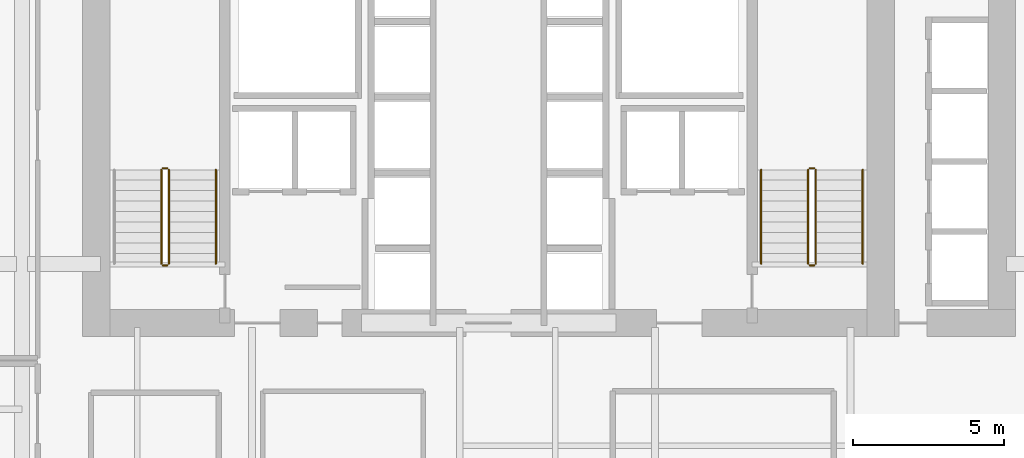
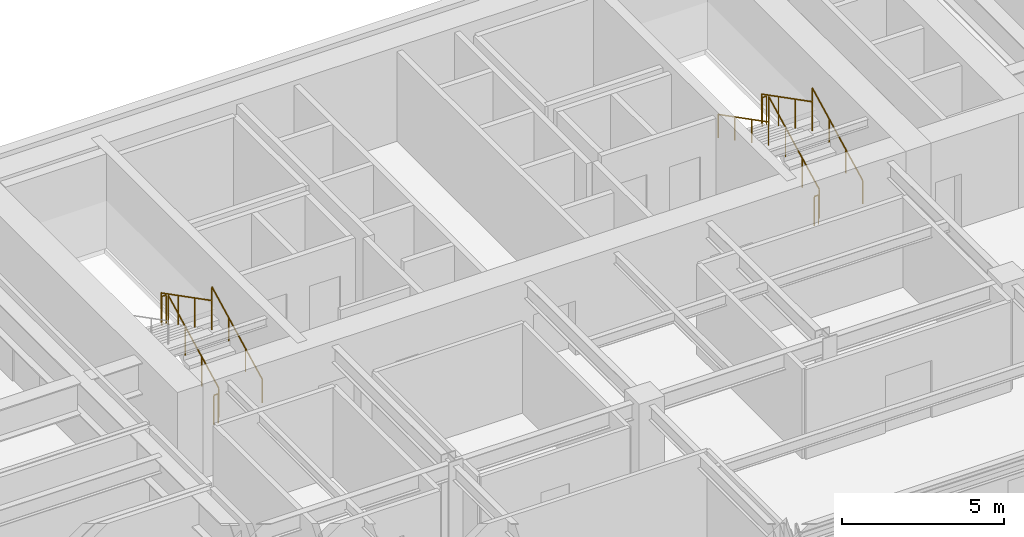
# One storey, part 25 of 25: 11 railings.
"""IFC4 building model written with IfcOpenShell, lengths in metres."""

import ifcopenshell
import ifcopenshell.guid

model = None  # the IFC model being written
_history = None  # IfcOwnerHistory: only IFC2X3 demands one
_inside = {}  # id of a spatial element -> (the spatial element, [elements in it])
_under = {}  # id of a project, library or spatial element -> (it, [spatial elements below it])
_declared = {}  # id of a project -> (the project, [libraries it declares])
_typed = {}  # id of a type object -> (the type object, [elements of that type])
_made_of = {}  # id of a material, layer set ... -> (it, [elements and type objects made of it])


def new_model(schema):
    """Start an empty IFC model of exactly this schema.

    Asked for "IFC4X3", IfcOpenShell would pick the latest addendum, in which some entities
    have other attributes; the version numbers below select the first issue.
    IFC2X3 requires an IfcOwnerHistory on every rooted entity: one is made here for all.
    """
    global model, _history
    if schema == "IFC4X3":
        model = ifcopenshell.file(schema_version=(4, 3, 0, 0))
    else:
        model = ifcopenshell.file(schema=schema)
    _inside.clear()
    _under.clear()
    _declared.clear()
    _typed.clear()
    _made_of.clear()
    _history = None
    if model.schema == "IFC2X3":
        org = make("IfcOrganization", Name="unknown")
        user = make(
            "IfcPersonAndOrganization",
            ThePerson=make("IfcPerson", FamilyName="unknown"),
            TheOrganization=org,
        )
        app = make(
            "IfcApplication",
            ApplicationDeveloper=org,
            Version="unknown",
            ApplicationFullName="unknown",
            ApplicationIdentifier="unknown",
        )
        _history = make(
            "IfcOwnerHistory",
            OwningUser=user,
            OwningApplication=app,
            ChangeAction="ADDED",
            CreationDate=0,
        )
    return model


def make(cls, **values):
    """One entity of the class cls with the attributes given. An attribute that is None is left unset."""
    return model.create_entity(
        cls, **{name: value for name, value in values.items() if value is not None}
    )


def rooted(cls, **values):
    """An entity with a GlobalId (a new one), such as an element, a storey or a relation."""
    return make(cls, GlobalId=ifcopenshell.guid.new(), OwnerHistory=_history, **values)


def si_unit(unit_type, name, prefix=None):
    """IfcSIUnit, for example si_unit("LENGTHUNIT", "METRE", prefix="MILLI")."""
    return make("IfcSIUnit", UnitType=unit_type, Prefix=prefix, Name=name)


def assignment(units):
    """IfcUnitAssignment: the units of a project."""
    return None if units is None else make("IfcUnitAssignment", Units=units)


def point(xyz):
    """IfcCartesianPoint."""
    return None if xyz is None else make("IfcCartesianPoint", Coordinates=xyz)


def direction(xyz):
    """IfcDirection."""
    return None if xyz is None else make("IfcDirection", DirectionRatios=xyz)


def frame(location, z_axis=None, x_axis=None):
    """IfcAxis2Placement3D, a coordinate frame: its origin and axes. An axis left out is left unset."""
    return make(
        "IfcAxis2Placement3D",
        Location=point(location),
        Axis=direction(z_axis),
        RefDirection=direction(x_axis),
    )


def frame_2d(location, x_axis=None):
    """IfcAxis2Placement2D, a coordinate frame in the plane: its origin and x axis."""
    return make(
        "IfcAxis2Placement2D", Location=point(location), RefDirection=direction(x_axis)
    )


def origin():
    """The frame at (0, 0, 0) with its axes left unset."""
    return frame((0.0, 0.0, 0.0))


def origin_2d():
    """The frame at (0, 0) in the plane with its x axis left unset."""
    return frame_2d((0.0, 0.0))


def place(relative_to, where):
    """IfcLocalPlacement: puts the frame where relative to a parent placement (None: the world)."""
    return make(
        "IfcLocalPlacement", PlacementRelTo=relative_to, RelativePlacement=where
    )


def context(
    kind, dimensions, precision=None, world=None, true_north=None, identifier=None
):
    """IfcGeometricRepresentationContext, for example the 3D "Model" context."""
    return make(
        "IfcGeometricRepresentationContext",
        ContextIdentifier=identifier,
        ContextType=kind,
        CoordinateSpaceDimension=dimensions,
        Precision=precision,
        WorldCoordinateSystem=world,
        TrueNorth=true_north,
    )


def subcontext(parent, identifier, kind, view, scale=None):
    """IfcGeometricRepresentationSubContext, for example "Body" below "Model"."""
    return make(
        "IfcGeometricRepresentationSubContext",
        ContextIdentifier=identifier,
        ContextType=kind,
        ParentContext=parent,
        TargetScale=scale,
        TargetView=view,
    )


def project(units=None, contexts=None):
    """IfcProject with its units and contexts."""
    return rooted(
        "IfcProject",
        Name="project",
        RepresentationContexts=contexts,
        UnitsInContext=assignment(units),
    )


def spatial(cls, under=None, at=None, **own):
    """A site, building, storey or space (cls), placed at a placement, below another one or the project."""
    s = rooted(cls, ObjectPlacement=at, **own)
    if under is not None:
        _under.setdefault(under.id(), (under, []))[1].append(s)
    return s


def profile(cls, at=None, kind="AREA", **sizes):
    """A parametric profile (cls). Its sizes go by their IFC names, for example OverallWidth=200.0."""
    return make(cls, ProfileType=kind, Position=at, **sizes)


def circle(**sizes):
    """IfcCircleProfileDef."""
    return profile("IfcCircleProfileDef", **sizes)


def extrude(swept, where, along, depth):
    """IfcExtrudedAreaSolid: the profile swept, set in the frame where, extruded along a direction by depth."""
    return make(
        "IfcExtrudedAreaSolid",
        SweptArea=swept,
        Position=where,
        ExtrudedDirection=direction(along),
        Depth=depth,
    )


def shape(context_of_items, identifier, shape_type, items):
    """IfcShapeRepresentation: the items that make up one representation, for example the "Body"."""
    return make(
        "IfcShapeRepresentation",
        ContextOfItems=context_of_items,
        RepresentationIdentifier=identifier,
        RepresentationType=shape_type,
        Items=items,
    )


def material(Name=None, Category=None):
    """IfcMaterial."""
    return make("IfcMaterial", Name=Name, Category=Category)


def made_of(thing, what):
    """Note that an element or type object is made of a material, layer set ...; save() writes the relation."""
    if what is not None:
        _made_of.setdefault(what.id(), (what, []))[1].append(thing)
    return thing


def type_object(cls, material=None, **own):
    """A type object (cls), such as IfcWallType, which elements share."""
    return made_of(rooted(cls, **own), material)


def element(
    cls,
    number,
    at=None,
    inside=None,
    cuts=None,
    type_object=None,
    material=None,
    context=None,
    identifier="Body",
    shape_type=None,
    held_by="IfcProductDefinitionShape",
    body=None,
    shapes=None,
    **own,
):
    """One element of the class cls, such as IfcWall. Its Tag is "e" and its number.

    at: its placement. inside: the storey or other place that contains it. cuts: it is an
    opening in that element (IfcRelVoidsElement). A single representation is given by context,
    identifier, shape_type and body (its items); several are given by shapes. held_by: the class
    of the entity that holds the representations. save() writes the other relations.
    """
    e = rooted(cls, Tag="e%d" % number, ObjectPlacement=at, **own)
    if body is not None:
        shapes = [shape(context, identifier, shape_type, body)]
    if shapes is not None:
        e.Representation = make(held_by, Representations=shapes)
    if inside is not None:
        _inside.setdefault(inside.id(), (inside, []))[1].append(e)
    if cuts is not None:
        rooted(
            "IfcRelVoidsElement", RelatingBuildingElement=cuts, RelatedOpeningElement=e
        )
    if type_object is not None:
        _typed.setdefault(type_object.id(), (type_object, []))[1].append(e)
    return made_of(e, material)


def aggregate(whole, parts):
    """IfcRelAggregates: a whole, such as a stair, and the parts it consists of."""
    return rooted("IfcRelAggregates", RelatingObject=whole, RelatedObjects=parts)


def save(model, path):
    """Write the relations noted so far, then the file.

    IfcRelAggregates (storeys below a building ...), IfcRelContainedInSpatialStructure (elements
    in a storey), IfcRelDefinesByType, IfcRelAssociatesMaterial and IfcRelDeclares: one each for
    every whole, place, type object, material and project.
    """
    for whole, parts in _under.values():
        aggregate(whole, parts)
    for where, things in _inside.values():
        rooted(
            "IfcRelContainedInSpatialStructure",
            RelatedElements=things,
            RelatingStructure=where,
        )
    for kind, things in _typed.values():
        rooted("IfcRelDefinesByType", RelatedObjects=things, RelatingType=kind)
    for what, things in _made_of.values():
        rooted("IfcRelAssociatesMaterial", RelatedObjects=things, RelatingMaterial=what)
    for by, libraries in _declared.values():
        rooted("IfcRelDeclares", RelatingContext=by, RelatedDefinitions=libraries)
    model.write(path)


model = new_model("IFC4")

# Units and contexts
model_context = context("Model", 3, precision=1e-05, world=origin(), true_north=direction((0.0, 1.0)))
body_context = subcontext(model_context, "Body", "Model", "MODEL_VIEW")
ifc_project = project(units=[si_unit("LENGTHUNIT", "METRE"), si_unit("AREAUNIT", "SQUARE_METRE"), si_unit("VOLUMEUNIT", "CUBIC_METRE"), si_unit("PLANEANGLEUNIT", "RADIAN"), si_unit("MASSUNIT", "GRAM", prefix="KILO")], contexts=[model_context])

# Site, building, storey
site_placement = place(None, origin())
site = spatial("IfcSite", under=ifc_project, at=site_placement, CompositionType="ELEMENT")
building_placement = place(site_placement, origin())
building = spatial("IfcBuilding", under=site, at=building_placement, Name="Tolvann Quenvar Hotel", CompositionType="ELEMENT")
storey_placement = place(building_placement, frame((0.0, 0.0, 78.14990234375)))
storey = spatial("IfcBuildingStorey", under=building, at=storey_placement, Name="L19", CompositionType="ELEMENT", Elevation=78.14990234375)

# Railings
ifc_material = material(Name="Brushed 316 stainless steel balustrade and handrail", Category="steel")
railing_type_1 = type_object("IfcRailingType", Name="GUARDRAIL", PredefinedType="GUARDRAIL", material=ifc_material)
railing_1_placement = place(storey_placement, frame((12.449951171875, 34.0, 0.177490234375)))
element("IfcRailing", 1, at=railing_1_placement, inside=storey, type_object=railing_type_1, Name="L19 ST-C1 stair guard 1", PredefinedType="GUARDRAIL", context=body_context, shape_type="SweptSolid", body=[
    extrude(circle(Radius=0.02392578125, at=origin_2d()), frame((0.0, 0.0, 1.09619140625), z_axis=(0.0, 0.88919353882, 0.457531256332), x_axis=(-1.0, 0.0, 0.0)), (0.0, 0.0, 1.0), 3.491943359375),
    extrude(circle(Radius=0.02099609375, at=origin_2d()), origin(), (0.0, 0.0, 1.0), 1.072021484375),
    extrude(circle(Radius=0.02099609375, at=origin_2d()), frame((0.0, 1.034912109375, 0.532470703125)), (0.0, 0.0, 1.0), 1.072021484375),
    extrude(circle(Radius=0.02099609375, at=origin_2d()), frame((0.0, 2.070068359375, 1.065185546875)), (0.0, 0.0, 1.0), 1.072021484375),
    extrude(circle(Radius=0.02099609375, at=origin_2d()), frame((0.0, 3.10498046875, 1.59765625)), (0.0, 0.0, 1.0), 1.072021484375),
])
railing_2_placement = place(storey_placement, frame((12.39990234375, 37.155029296875, 1.775146484375)))
element("IfcRailing", 2, at=railing_2_placement, inside=storey, type_object=railing_type_1, Name="L19 ST-C1 stair guard 2", PredefinedType="GUARDRAIL", context=body_context, shape_type="SweptSolid", body=[
    extrude(circle(Radius=0.02392578125, at=origin_2d()), frame((0.0, 0.0, 1.09619140625), z_axis=(-1.0, 0.0, 0.0), x_axis=(0.0, -1.0, 0.0)), (0.0, 0.0, 1.0), 0.14990234375),
    extrude(circle(Radius=0.02099609375, at=origin_2d()), origin(), (0.0, 0.0, 1.0), 1.072021484375),
    extrude(circle(Radius=0.02099609375, at=origin_2d()), frame((-0.14990234375, 0.0, 0.0)), (0.0, 0.0, 1.0), 1.072021484375),
])
railing_3_placement = place(storey_placement, frame((12.199951171875, 37.10498046875, 1.95263671875)))
element("IfcRailing", 3, at=railing_3_placement, inside=storey, type_object=railing_type_1, Name="L19 ST-C1 stair guard 3", PredefinedType="GUARDRAIL", context=body_context, shape_type="SweptSolid", body=[
    extrude(circle(Radius=0.02392578125, at=origin_2d()), frame((0.0, 0.0, 1.09619140625), z_axis=(0.0, -0.889221982265, 0.45747597342), x_axis=(1.0, 0.0, 0.0)), (0.0, 0.0, 1.0), 3.49169921875),
    extrude(circle(Radius=0.02099609375, at=origin_2d()), origin(), (0.0, 0.0, 1.0), 1.072021484375),
    extrude(circle(Radius=0.02099609375, at=origin_2d()), frame((0.0, -1.034912109375, 0.532470703125)), (0.0, 0.0, 1.0), 1.072021484375),
    extrude(circle(Radius=0.02099609375, at=origin_2d()), frame((0.0, -2.070068359375, 1.06494140625)), (0.0, 0.0, 1.0), 1.072021484375),
    extrude(circle(Radius=0.02099609375, at=origin_2d()), frame((0.0, -3.10498046875, 1.597412109375)), (0.0, 0.0, 1.0), 1.072021484375),
])
railing_4_placement = place(storey_placement, frame((12.39990234375, 33.949951171875, 0.0)))
element("IfcRailing", 4, at=railing_4_placement, inside=storey, type_object=railing_type_1, Name="L19 ST-C1 stair guard 4", PredefinedType="GUARDRAIL", context=body_context, shape_type="SweptSolid", body=[
    extrude(circle(Radius=0.02392578125, at=origin_2d()), frame((0.0, 0.0, 1.09619140625), z_axis=(-1.0, 0.0, 0.0), x_axis=(0.0, -1.0, 0.0)), (0.0, 0.0, 1.0), 0.14990234375),
    extrude(circle(Radius=0.02099609375, at=origin_2d()), origin(), (0.0, 0.0, 1.0), 1.072021484375),
    extrude(circle(Radius=0.02099609375, at=origin_2d()), frame((-0.14990234375, 0.0, 0.0)), (0.0, 0.0, 1.0), 1.072021484375),
])
railing_5_placement = place(storey_placement, frame((33.800048828125, 34.0, 0.177490234375)))
element("IfcRailing", 5, at=railing_5_placement, inside=storey, type_object=railing_type_1, Name="L19 ST-C2 stair guard 1", PredefinedType="GUARDRAIL", context=body_context, shape_type="SweptSolid", body=[
    extrude(circle(Radius=0.02392578125, at=origin_2d()), frame((0.0, 0.0, 1.09619140625), z_axis=(0.0, 0.88919353882, 0.457531256332), x_axis=(-1.0, 0.0, 0.0)), (0.0, 0.0, 1.0), 3.491943359375),
    extrude(circle(Radius=0.02099609375, at=origin_2d()), origin(), (0.0, 0.0, 1.0), 1.072021484375),
    extrude(circle(Radius=0.02099609375, at=origin_2d()), frame((0.0, 1.034912109375, 0.532470703125)), (0.0, 0.0, 1.0), 1.072021484375),
    extrude(circle(Radius=0.02099609375, at=origin_2d()), frame((0.0, 2.070068359375, 1.065185546875)), (0.0, 0.0, 1.0), 1.072021484375),
    extrude(circle(Radius=0.02099609375, at=origin_2d()), frame((0.0, 3.10498046875, 1.59765625)), (0.0, 0.0, 1.0), 1.072021484375),
])
railing_6_placement = place(storey_placement, frame((33.75, 37.155029296875, 1.775146484375)))
element("IfcRailing", 6, at=railing_6_placement, inside=storey, type_object=railing_type_1, Name="L19 ST-C2 stair guard 2", PredefinedType="GUARDRAIL", context=body_context, shape_type="SweptSolid", body=[
    extrude(circle(Radius=0.02392578125, at=origin_2d()), frame((0.0, 0.0, 1.09619140625), z_axis=(-1.0, 0.0, 0.0), x_axis=(0.0, -1.0, 0.0)), (0.0, 0.0, 1.0), 0.14990234375),
    extrude(circle(Radius=0.02099609375, at=origin_2d()), origin(), (0.0, 0.0, 1.0), 1.072021484375),
    extrude(circle(Radius=0.02099609375, at=origin_2d()), frame((-0.14990234375, 0.0, 0.0)), (0.0, 0.0, 1.0), 1.072021484375),
])
railing_7_placement = place(storey_placement, frame((33.550048828125, 37.10498046875, 1.95263671875)))
element("IfcRailing", 7, at=railing_7_placement, inside=storey, type_object=railing_type_1, Name="L19 ST-C2 stair guard 3", PredefinedType="GUARDRAIL", context=body_context, shape_type="SweptSolid", body=[
    extrude(circle(Radius=0.02392578125, at=origin_2d()), frame((0.0, 0.0, 1.09619140625), z_axis=(0.0, -0.889221982265, 0.45747597342), x_axis=(1.0, 0.0, 0.0)), (0.0, 0.0, 1.0), 3.49169921875),
    extrude(circle(Radius=0.02099609375, at=origin_2d()), origin(), (0.0, 0.0, 1.0), 1.072021484375),
    extrude(circle(Radius=0.02099609375, at=origin_2d()), frame((0.0, -1.034912109375, 0.532470703125)), (0.0, 0.0, 1.0), 1.072021484375),
    extrude(circle(Radius=0.02099609375, at=origin_2d()), frame((0.0, -2.070068359375, 1.06494140625)), (0.0, 0.0, 1.0), 1.072021484375),
    extrude(circle(Radius=0.02099609375, at=origin_2d()), frame((0.0, -3.10498046875, 1.597412109375)), (0.0, 0.0, 1.0), 1.072021484375),
])
railing_8_placement = place(storey_placement, frame((33.75, 33.949951171875, 0.0)))
element("IfcRailing", 8, at=railing_8_placement, inside=storey, type_object=railing_type_1, Name="L19 ST-C2 stair guard 4", PredefinedType="GUARDRAIL", context=body_context, shape_type="SweptSolid", body=[
    extrude(circle(Radius=0.02392578125, at=origin_2d()), frame((0.0, 0.0, 1.09619140625), z_axis=(-1.0, 0.0, 0.0), x_axis=(0.0, -1.0, 0.0)), (0.0, 0.0, 1.0), 0.14990234375),
    extrude(circle(Radius=0.02099609375, at=origin_2d()), origin(), (0.0, 0.0, 1.0), 1.072021484375),
    extrude(circle(Radius=0.02099609375, at=origin_2d()), frame((-0.14990234375, 0.0, 0.0)), (0.0, 0.0, 1.0), 1.072021484375),
])
railing_type_2 = type_object("IfcRailingType", Name="HANDRAIL", PredefinedType="HANDRAIL", material=ifc_material)
for number, where, name in (
    (9, (14.0, 34.0, 0.177490234375), "L19 ST-C1 stair handrail 1"),
    (10, (35.35009765625, 34.0, 0.177490234375), "L19 ST-C2 stair handrail 1"),
):
    element("IfcRailing", number, at=place(storey_placement, frame(where)), inside=storey, type_object=railing_type_2, Name=name, PredefinedType="HANDRAIL", context=body_context, shape_type="SweptSolid", body=[
        extrude(circle(Radius=0.02392578125, at=origin_2d()), frame((0.0, 0.0, 0.8759765625), z_axis=(0.0, 0.88919353882, 0.457531256332), x_axis=(-1.0, 0.0, 0.0)), (0.0, 0.0, 1.0), 3.491943359375),
        extrude(circle(Radius=0.02099609375, at=origin_2d()), origin(), (0.0, 0.0, 1.0), 0.851806640625),
        extrude(circle(Radius=0.02099609375, at=origin_2d()), frame((0.0, 1.034912109375, 0.532470703125)), (0.0, 0.0, 1.0), 0.851806640625),
        extrude(circle(Radius=0.02099609375, at=origin_2d()), frame((0.0, 2.070068359375, 1.065185546875)), (0.0, 0.0, 1.0), 0.851806640625),
        extrude(circle(Radius=0.02099609375, at=origin_2d()), frame((0.0, 3.10498046875, 1.59765625)), (0.0, 0.0, 1.0), 0.851806640625),
    ])
railing_9_placement = place(storey_placement, frame((32.0, 37.10498046875, 1.95263671875)))
element("IfcRailing", 11, at=railing_9_placement, inside=storey, type_object=railing_type_2, Name="L19 ST-C2 stair handrail 2", PredefinedType="HANDRAIL", context=body_context, shape_type="SweptSolid", body=[
    extrude(circle(Radius=0.02392578125, at=origin_2d()), frame((0.0, 0.0, 0.8759765625), z_axis=(0.0, -0.889221982265, 0.45747597342), x_axis=(1.0, 0.0, 0.0)), (0.0, 0.0, 1.0), 3.49169921875),
    extrude(circle(Radius=0.02099609375, at=origin_2d()), origin(), (0.0, 0.0, 1.0), 0.851806640625),
    extrude(circle(Radius=0.02099609375, at=origin_2d()), frame((0.0, -1.034912109375, 0.532470703125)), (0.0, 0.0, 1.0), 0.851806640625),
    extrude(circle(Radius=0.02099609375, at=origin_2d()), frame((0.0, -2.070068359375, 1.06494140625)), (0.0, 0.0, 1.0), 0.851806640625),
    extrude(circle(Radius=0.02099609375, at=origin_2d()), frame((0.0, -3.10498046875, 1.597412109375)), (0.0, 0.0, 1.0), 0.851806640625),
])

save(model, "model.ifc")
